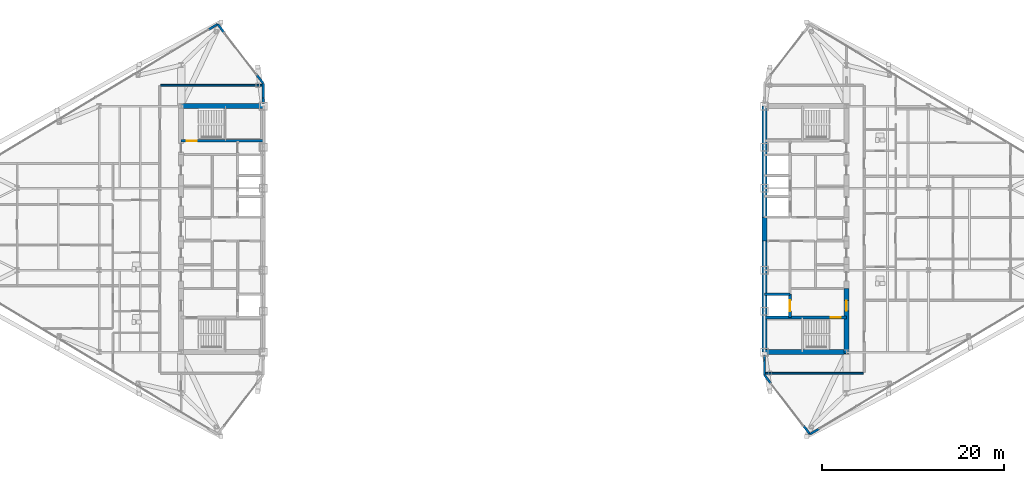
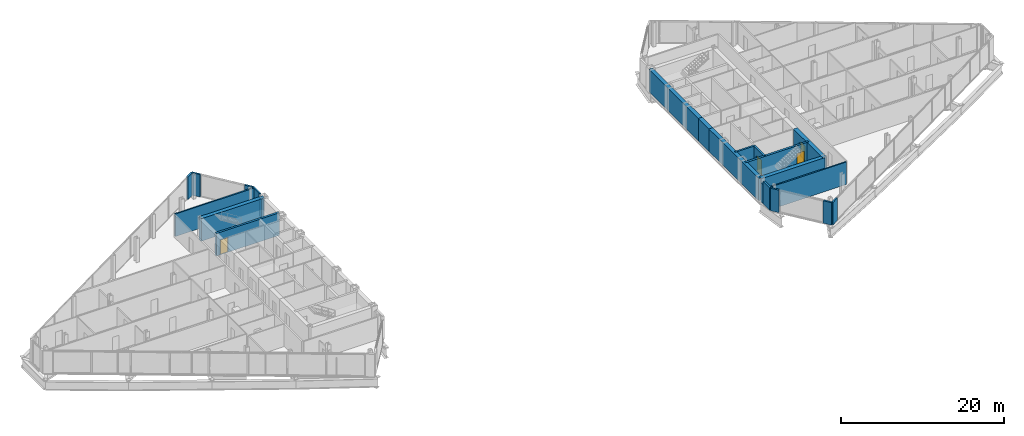
# One storey, part 23 of 29: 22 walls, 4 doors, 4 openings.
"""IFC4 building model written with IfcOpenShell, lengths in metres."""

from ifc_helpers import new_model, si_unit, direction, frame, frame_2d, origin, place, context, subcontext, project, spatial, rectangle, extrude, source, transform, mapped, material, layer, layer_set, type_object, type_shapes, element, fill, save


model = new_model("IFC4")

# Units and contexts
model_context = context("Model", 3, precision=1e-05, world=origin(), true_north=direction((0.0, 1.0)))
body_context = subcontext(model_context, "Body", "Model", "MODEL_VIEW")
ifc_project = project(units=[si_unit("LENGTHUNIT", "METRE"), si_unit("AREAUNIT", "SQUARE_METRE"), si_unit("VOLUMEUNIT", "CUBIC_METRE"), si_unit("PLANEANGLEUNIT", "RADIAN"), si_unit("MASSUNIT", "GRAM", prefix="KILO")], contexts=[model_context])

# Site, building, storey
site_placement = place(None, origin())
site = spatial("IfcSite", under=ifc_project, at=site_placement, CompositionType="ELEMENT")
building_placement = place(site_placement, origin())
building = spatial("IfcBuilding", under=site, at=building_placement, Name="Seokmaru Belvedere", CompositionType="ELEMENT")
storey_placement = place(building_placement, frame((0.0, 0.0, 195.89990234375)))
storey = spatial("IfcBuildingStorey", under=building, at=storey_placement, Name="L52", CompositionType="ELEMENT", Elevation=195.89990234375)

# Walls
ifc_material_1 = material(Name="Concrete C50 (50 MPa)", Category="concrete")
ifc_layer_1 = layer(ifc_material_1, 0.25)
ifc_layer_set_1 = layer_set([ifc_layer_1], Name="Concrete C50 (50 MPa)")
wall_type_1 = type_object("IfcWallType", Name="Hoistway Transverse Concrete Divider Wall 250", PredefinedType="SHEAR", material=ifc_layer_set_1)
wall_1_placement = place(storey_placement, frame((27.5, -7.14990234375, 0.0), z_axis=(0.0, 0.0, 1.0), x_axis=(1.0, 0.0, 0.0)))
element("IfcWall", 1, at=wall_1_placement, inside=storey, type_object=wall_type_1, Name="L52 East Hoistway Divider Core Wall 1", PredefinedType="SHEAR", context=body_context, shape_type="SweptSolid", body=[
    extrude(rectangle(XDim=2.800048828125, YDim=0.25, at=frame_2d((1.39990234375, 0.0))), origin(), (0.0, 0.0, 1.0), 3.380126953125),
])
ifc_material_2 = material(Name="Fire-Rated Gypsum Shaftwall")
ifc_layer_2 = layer(ifc_material_2, 0.199951171875)
ifc_layer_set_2 = layer_set([ifc_layer_2], Name="Fire-Rated Gypsum Shaftwall")
wall_type_2 = type_object("IfcWallType", Name="Inter-Tenancy Fire Compartment Partition 200", PredefinedType="PARTITIONING", material=ifc_layer_set_2)
wall_2_placement = place(storey_placement, frame((27.625, -15.800048828125, 0.0), z_axis=(0.0, 0.0, 1.0), x_axis=(1.0, 0.0, 0.0)))
element("IfcWall", 2, at=wall_2_placement, inside=storey, type_object=wall_type_2, Name="L52 Interior Partition 002", PredefinedType="PARTITIONING", context=body_context, shape_type="SweptSolid", body=[
    extrude(rectangle(XDim=10.739990234375, YDim=0.199951171875, at=frame_2d((5.3701171875, 0.0))), origin(), (0.0, 0.0, 1.0), 3.380126953125),
])
wall_3_placement = place(storey_placement, frame((-38.764892578125, 15.800048828125, 0.0), z_axis=(0.0, 0.0, 1.0), x_axis=(1.0, 0.0, 0.0)))
element("IfcWall", 3, at=wall_3_placement, inside=storey, type_object=wall_type_2, Name="L52 Interior Partition 022", PredefinedType="PARTITIONING", context=body_context, shape_type="SweptSolid", body=[
    extrude(rectangle(XDim=11.139892578125, YDim=0.199951171875, at=frame_2d((5.56982421875, 0.0))), origin(), (0.0, 0.0, 1.0), 3.380126953125),
])

# Wall, opening, door
ifc_layer_3 = layer(ifc_material_1, 0.300048828125)
ifc_layer_set_3 = layer_set([ifc_layer_3], Name="Concrete C50 (50 MPa)")
wall_type_3 = type_object("IfcWallType", Name="Internal Core Stair and Hoistway Wall 300", PredefinedType="SHEAR", material=ifc_layer_set_3)
wall_4_placement = place(storey_placement, frame((-36.5, 9.699951171875, 0.0), z_axis=(0.0, 0.0, 1.0), x_axis=(1.0, 0.0, 0.0)))
wall_4 = element("IfcWall", 4, at=wall_4_placement, inside=storey, type_object=wall_type_3, Name="L52 West Stair ST-2 Enclosure Wall", PredefinedType="SHEAR", context=body_context, shape_type="SweptSolid", body=[
    extrude(rectangle(XDim=9.0, YDim=0.300048828125, at=frame_2d((4.5, 0.0))), origin(), (0.0, 0.0, 1.0), 3.380126953125),
])
opening_1_placement = place(wall_4_placement, frame((0.60009765625, 0.0, 0.0)))
opening_1 = element("IfcOpeningElement", 5, at=opening_1_placement, cuts=wall_4, Name="Opening D01", PredefinedType="OPENING", context=body_context, shape_type="SweptSolid", body=[
    extrude(rectangle(XDim=1.10009765625, YDim=2.199951171875, at=frame_2d((0.550048828125, 1.10009765625))), frame((0.0, 0.16015625, 0.0), z_axis=(0.0, -1.0, 0.0), x_axis=(1.0, 0.0, 0.0)), (0.0, 0.0, 1.0), 0.320068359375),
])
ifc_material_3 = material(Name="Fire-Rated Steel Leaf", Category="steel")
door_type_1 = type_object("IfcDoorType", Name="Special Escape Stair Smokeproof Fire Door 1100x2200", OperationType="NOTDEFINED", PredefinedType="DOOR", material=ifc_material_3)
shared_shape_1 = source(origin(), body_context, "Body", "SweptSolid", [
    extrude(rectangle(XDim=1.10009765625, YDim=2.199951171875, at=frame_2d((0.550048828125, 1.10009765625))), frame((0.0, 0.02490234375, 0.0), z_axis=(0.0, -1.0, 0.0), x_axis=(1.0, 0.0, 0.0)), (0.0, 0.0, 1.0), 0.050048828125),
])
type_shapes(door_type_1, [shared_shape_1])
door_1_placement = place(opening_1_placement, origin())
door_1 = element("IfcDoor", 6, at=door_1_placement, inside=storey, type_object=door_type_1, Name="L52 West Special Escape Stair ST-2 Door", OperationType="SINGLE_SWING_RIGHT", OverallHeight=2.199951171875, OverallWidth=1.10009765625, PredefinedType="DOOR", context=body_context, shape_type="MappedRepresentation", body=[
    mapped(shared_shape_1, transform((0.0, 0.0, 0.0), scale=1.0)),
])
fill(opening_1, door_1)

wall_5_placement = place(storey_placement, frame((27.5, -9.699951171875, 0.0), z_axis=(0.0, 0.0, 1.0), x_axis=(1.0, 0.0, 0.0)))
wall_5 = element("IfcWall", 7, at=wall_5_placement, inside=storey, type_object=wall_type_3, Name="L52 East Stair ST-1 Enclosure Wall", PredefinedType="SHEAR", context=body_context, shape_type="SweptSolid", body=[
    extrude(rectangle(XDim=9.0, YDim=0.300048828125, at=frame_2d((4.5, 0.0))), origin(), (0.0, 0.0, 1.0), 3.380126953125),
])
opening_2_placement = place(wall_5_placement, frame((7.300048828125, 0.0, 0.0)))
opening_2 = element("IfcOpeningElement", 8, at=opening_2_placement, cuts=wall_5, Name="Opening D01", PredefinedType="OPENING", context=body_context, shape_type="SweptSolid", body=[
    extrude(rectangle(XDim=1.10009765625, YDim=2.199951171875, at=frame_2d((0.550048828125, 1.10009765625))), frame((0.0, 0.16015625, 0.0), z_axis=(0.0, -1.0, 0.0), x_axis=(1.0, 0.0, 0.0)), (0.0, 0.0, 1.0), 0.320068359375),
])
door_2_placement = place(opening_2_placement, frame((1.10009765625, 0.0, 0.0), z_axis=(0.0, 0.0, 1.0), x_axis=(-1.0, 0.0, 0.0)))
door_2 = element("IfcDoor", 9, at=door_2_placement, inside=storey, type_object=door_type_1, Name="L52 East Special Escape Stair ST-1 Door", OperationType="SINGLE_SWING_RIGHT", OverallHeight=2.199951171875, OverallWidth=1.10009765625, PredefinedType="DOOR", context=body_context, shape_type="MappedRepresentation", body=[
    mapped(shared_shape_1, transform((0.0, 0.0, 0.0), scale=1.0)),
])
fill(opening_2, door_2)

wall_6_placement = place(storey_placement, frame((30.300048828125, -9.679931640625, 0.0), z_axis=(0.0, 0.0, 1.0), x_axis=(0.0, 1.0, 0.0)))
wall_6 = element("IfcWall", 10, at=wall_6_placement, inside=storey, type_object=wall_type_3, Name="L52 East Firefighting Lift Shaft Front Wall", PredefinedType="SHEAR", context=body_context, shape_type="SweptSolid", body=[
    extrude(rectangle(XDim=2.559814453125, YDim=0.300048828125, at=frame_2d((1.27978515625, 0.0))), origin(), (0.0, 0.0, 1.0), 3.380126953125),
])
opening_3_placement = place(wall_6_placement, frame((0.679931640625, 0.0, 0.0)))
opening_3 = element("IfcOpeningElement", 11, at=opening_3_placement, cuts=wall_6, Name="Opening LD2", PredefinedType="OPENING", context=body_context, shape_type="SweptSolid", body=[
    extrude(rectangle(XDim=1.199951171875, YDim=2.25, at=frame_2d((0.60009765625, 1.125))), frame((0.0, 0.16015625, 0.0), z_axis=(0.0, -1.0, 0.0), x_axis=(1.0, 0.0, 0.0)), (0.0, 0.0, 1.0), 0.320068359375),
])
ifc_material_4 = material(Name="Stainless Steel 316", Category="steel")
door_type_2 = type_object("IfcDoorType", Name="Firefighting Lift Sliding Landing Door 1200x2250", OperationType="DOUBLE_DOOR_SLIDING", PredefinedType="DOOR", material=ifc_material_4)
shared_shape_2 = source(origin(), body_context, "Body", "SweptSolid", [
    extrude(rectangle(XDim=1.199951171875, YDim=2.25, at=frame_2d((0.60009765625, 1.125))), frame((0.0, 0.02490234375, 0.0), z_axis=(0.0, -1.0, 0.0), x_axis=(1.0, 0.0, 0.0)), (0.0, 0.0, 1.0), 0.050048828125),
])
type_shapes(door_type_2, [shared_shape_2])
door_3_placement = place(opening_3_placement, origin())
door_3 = element("IfcDoor", 12, at=door_3_placement, inside=storey, type_object=door_type_2, Name="L52 East Firefighting Lift Landing Door", OperationType="DOUBLE_DOOR_SLIDING", OverallHeight=2.25, OverallWidth=1.199951171875, PredefinedType="DOOR", context=body_context, shape_type="MappedRepresentation", body=[
    mapped(shared_shape_2, transform((0.0, 0.0, 0.0), scale=1.0)),
])
fill(opening_3, door_3)

# Walls
ifc_layer_4 = layer(ifc_material_1, 0.550048828125)
ifc_layer_set_4 = layer_set([ifc_layer_4], Name="Concrete C50 (50 MPa)")
wall_type_4 = type_object("IfcWallType", Name="Mid-High Reinforced Concrete Core Wall 550", PredefinedType="SHEAR", material=ifc_layer_set_4)
wall_7_placement = place(storey_placement, frame((-36.5, 13.5, 0.0), z_axis=(0.0, 0.0, 1.0), x_axis=(1.0, 0.0, 0.0)))
element("IfcWall", 13, at=wall_7_placement, inside=storey, type_object=wall_type_4, Name="L52 West North Core Wall", PredefinedType="SHEAR", context=body_context, shape_type="SweptSolid", body=[
    extrude(rectangle(XDim=9.0, YDim=0.550048828125, at=frame_2d((4.5, 0.0))), origin(), (0.0, 0.0, 1.0), 3.380126953125),
])
for number, where, z_axis, x_axis, name in (
    (14, (27.5, -13.5, 0.0), (0.0, 0.0, 1.0), (0.0, 1.0, 0.0), "L52 East Portal Spine Core Wall South"),
    (15, (27.5, 1.300048828125, 0.0), (0.0, 0.0, 1.0), (0.0, 1.0, 0.0), "L52 East Portal Spine Core Wall North"),
):
    element("IfcWall", number, at=place(storey_placement, frame(where, z_axis=z_axis, x_axis=x_axis)), inside=storey, type_object=wall_type_4, Name=name, PredefinedType="SHEAR", context=body_context, shape_type="SweptSolid", body=[
        extrude(rectangle(XDim=12.199951171875, YDim=0.550048828125, at=frame_2d((6.10009765625, 0.0))), origin(), (0.0, 0.0, 1.0), 3.380126953125),
    ])
wall_8_placement = place(storey_placement, frame((27.5, -1.300048828125, 0.0), z_axis=(0.0, 0.0, 1.0), x_axis=(0.0, 1.0, 0.0)))
element("IfcWall", 16, at=wall_8_placement, inside=storey, type_object=wall_type_4, Name="L52 East Portal Spine Core Wall Center", PredefinedType="SHEAR", context=body_context, shape_type="SweptSolid", body=[
    extrude(rectangle(XDim=2.60009765625, YDim=0.550048828125, at=frame_2d((1.300048828125, 0.0))), origin(), (0.0, 0.0, 1.0), 3.380126953125),
])
wall_9_placement = place(storey_placement, frame((27.5, -13.5, 0.0), z_axis=(0.0, 0.0, 1.0), x_axis=(1.0, 0.0, 0.0)))
element("IfcWall", 17, at=wall_9_placement, inside=storey, type_object=wall_type_4, Name="L52 East South Core Wall", PredefinedType="SHEAR", context=body_context, shape_type="SweptSolid", body=[
    extrude(rectangle(XDim=9.0, YDim=0.550048828125, at=frame_2d((4.5, 0.0))), origin(), (0.0, 0.0, 1.0), 3.380126953125),
])

# Wall, opening, door
wall_10_placement = place(storey_placement, frame((36.5, -13.64990234375, 0.0), z_axis=(0.0, 0.0, 1.0), x_axis=(0.0, 1.0, 0.0)))
wall_10 = element("IfcWall", 18, at=wall_10_placement, inside=storey, type_object=wall_type_4, Name="L52 East West Core Wall FF", PredefinedType="SHEAR", context=body_context, shape_type="SweptSolid", body=[
    extrude(rectangle(XDim=7.14990234375, YDim=0.550048828125, at=frame_2d((3.574951171875, 0.0))), origin(), (0.0, 0.0, 1.0), 3.380126953125),
])
opening_4_placement = place(wall_10_placement, frame((4.675048828125, 0.0, 0.0)))
opening_4 = element("IfcOpeningElement", 19, at=opening_4_placement, cuts=wall_10, Name="Opening D02", PredefinedType="OPENING", context=body_context, shape_type="SweptSolid", body=[
    extrude(rectangle(XDim=1.14990234375, YDim=2.199951171875, at=frame_2d((0.574951171875, 1.10009765625))), frame((0.0, 0.28515625, 0.0), z_axis=(0.0, -1.0, 0.0), x_axis=(1.0, 0.0, 0.0)), (0.0, 0.0, 1.0), 0.570068359375),
])
door_type_3 = type_object("IfcDoorType", Name="Lobby and Vestibule Fire Door 1150x2200", OperationType="NOTDEFINED", PredefinedType="DOOR", material=ifc_material_3)
shared_shape_3 = source(origin(), body_context, "Body", "SweptSolid", [
    extrude(rectangle(XDim=1.14990234375, YDim=2.199951171875, at=frame_2d((0.574951171875, 1.10009765625))), frame((0.0, 0.02490234375, 0.0), z_axis=(0.0, -1.0, 0.0), x_axis=(1.0, 0.0, 0.0)), (0.0, 0.0, 1.0), 0.050048828125),
])
type_shapes(door_type_3, [shared_shape_3])
door_4_placement = place(opening_4_placement, origin())
door_4 = element("IfcDoor", 20, at=door_4_placement, inside=storey, type_object=door_type_3, Name="L52 East Firefighting Lobby Door", OperationType="SINGLE_SWING_RIGHT", OverallHeight=2.199951171875, OverallWidth=1.14990234375, PredefinedType="DOOR", context=body_context, shape_type="MappedRepresentation", body=[
    mapped(shared_shape_3, transform((0.0, 0.0, 0.0), scale=1.0)),
])
fill(opening_4, door_4)

# Walls
ifc_material_5 = material(Name="Anodised Bronze Aluminium", Category="aluminium")
ifc_layer_5 = layer(ifc_material_5, 0.239990234375)
ifc_layer_set_5 = layer_set([ifc_layer_5], Name="Anodised Bronze Aluminium")
wall_type_5 = type_object("IfcWallType", Name="Tower Corner Spandrel Closure Wall 240", PredefinedType="SOLIDWALL", material=ifc_layer_set_5)
wall_11_placement = place(storey_placement, frame((-27.5, 13.780029296875, 0.0), z_axis=(0.0, 0.0, 1.0), x_axis=(0.0, 1.0, 0.0)))
element("IfcWall", 21, at=wall_11_placement, inside=storey, type_object=wall_type_5, Name="L52 W Shoulder Closure Wall 2", PredefinedType="SOLIDWALL", context=body_context, shape_type="SweptSolid", body=[
    extrude(rectangle(XDim=0.599853515625, YDim=0.239990234375, at=frame_2d((0.2998046875, 0.0))), origin(), (0.0, 0.0, 1.0), 2.880126953125),
])
wall_12_placement = place(storey_placement, frame((-27.5, 14.3798828125, 0.0), z_axis=(0.0, 0.0, 1.0), x_axis=(0.0, 1.0, 0.0)))
element("IfcWall", 22, at=wall_12_placement, inside=storey, type_object=wall_type_5, Name="L52 W Shoulder Closure Wall 2 Part 2", PredefinedType="SOLIDWALL", context=body_context, shape_type="SweptSolid", body=[
    extrude(rectangle(XDim=1.60009765625, YDim=0.239990234375, at=frame_2d((0.800048828125, 0.0))), origin(), (0.0, 0.0, 1.0), 3.380126953125),
])
for number, where, z_axis, x_axis, name in (
    (23, (-27.506103515625, 16.0078125, 0.0), (0.0, 0.0, 1.0), (-0.609617623633, 0.792695624408, 0.0), "L52 W Corner Closure Pier 2A"),
    (24, (-31.798828125, 21.58837890625, 0.0), (0.0, 0.0, 1.0), (-0.609617623633, 0.792695624408, 0.0), "L52 W Corner Closure Pier 2B"),
    (25, (-32.508544921875, 22.494873046875, 0.0), (0.0, 0.0, 1.0), (-0.85743623509, -0.514590228002, 0.0), "L52 W Corner Closure Pier 3A"),
    (26, (32.508544921875, -22.494873046875, 0.0), (0.0, 0.0, 1.0), (0.85743623509, 0.514590228002, 0.0), "L52 E Corner Closure Pier 1A"),
):
    element("IfcWall", number, at=place(storey_placement, frame(where, z_axis=z_axis, x_axis=x_axis)), inside=storey, type_object=wall_type_5, Name=name, PredefinedType="SOLIDWALL", context=body_context, shape_type="SweptSolid", body=[
        extrude(rectangle(XDim=1.14013671875, YDim=0.239990234375, at=frame_2d((0.570068359375, 0.0))), origin(), (0.0, 0.0, 1.0), 3.380126953125),
    ])
wall_13_placement = place(storey_placement, frame((27.5, -15.97998046875, 0.0), z_axis=(0.0, 0.0, 1.0), x_axis=(0.0, 1.0, 0.0)))
element("IfcWall", 27, at=wall_13_placement, inside=storey, type_object=wall_type_5, Name="L52 E Shoulder Closure Wall 1", PredefinedType="SOLIDWALL", context=body_context, shape_type="SweptSolid", body=[
    extrude(rectangle(XDim=1.60009765625, YDim=0.239990234375, at=frame_2d((0.800048828125, 0.0))), origin(), (0.0, 0.0, 1.0), 3.380126953125),
])
wall_14_placement = place(storey_placement, frame((27.5, -14.3798828125, 0.0), z_axis=(0.0, 0.0, 1.0), x_axis=(0.0, 1.0, 0.0)))
element("IfcWall", 28, at=wall_14_placement, inside=storey, type_object=wall_type_5, Name="L52 E Shoulder Closure Wall 1 Part 2", PredefinedType="SOLIDWALL", context=body_context, shape_type="SweptSolid", body=[
    extrude(rectangle(XDim=0.599853515625, YDim=0.239990234375, at=frame_2d((0.2998046875, 0.0))), origin(), (0.0, 0.0, 1.0), 2.880126953125),
])
for number, where, z_axis, x_axis, name in (
    (29, (27.506103515625, -16.0078125, 0.0), (0.0, 0.0, 1.0), (0.609617623633, -0.792695624408, 0.0), "L52 E Corner Closure Pier 6A"),
    (30, (31.798828125, -21.58837890625, 0.0), (0.0, 0.0, 1.0), (0.609617623633, -0.792695624408, 0.0), "L52 E Corner Closure Pier 6B"),
):
    element("IfcWall", number, at=place(storey_placement, frame(where, z_axis=z_axis, x_axis=x_axis)), inside=storey, type_object=wall_type_5, Name=name, PredefinedType="SOLIDWALL", context=body_context, shape_type="SweptSolid", body=[
        extrude(rectangle(XDim=1.14013671875, YDim=0.239990234375, at=frame_2d((0.570068359375, 0.0))), origin(), (0.0, 0.0, 1.0), 3.380126953125),
    ])

save(model, "model.ifc")
